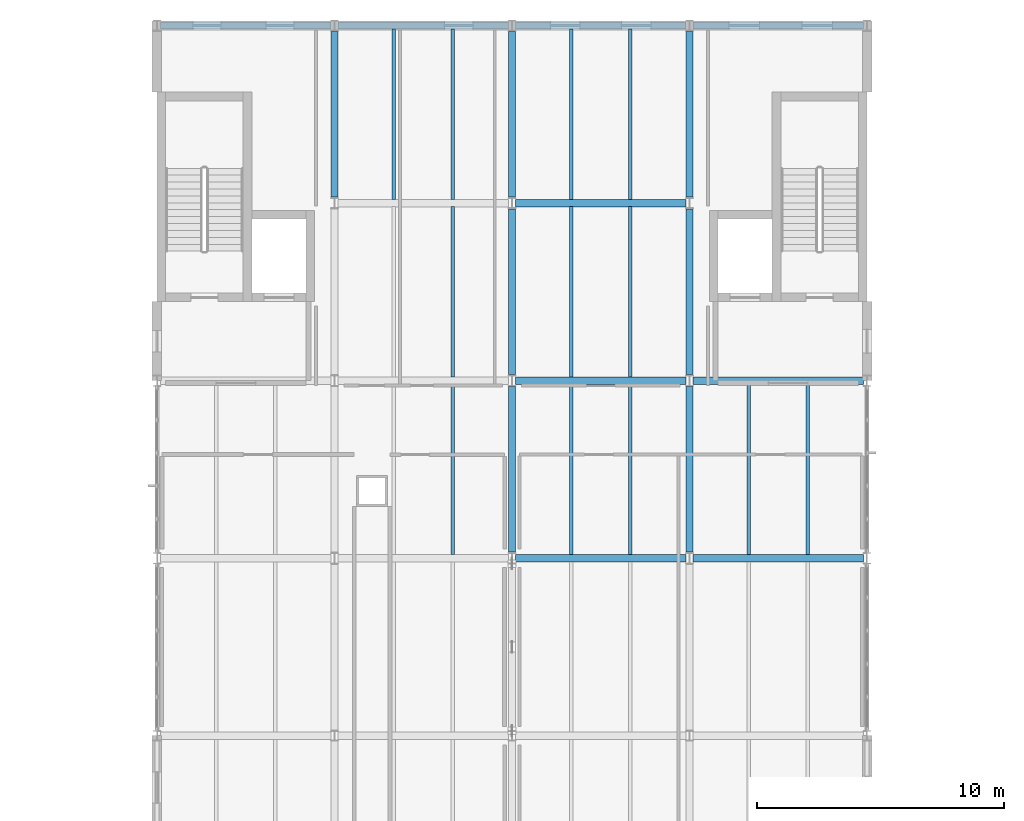
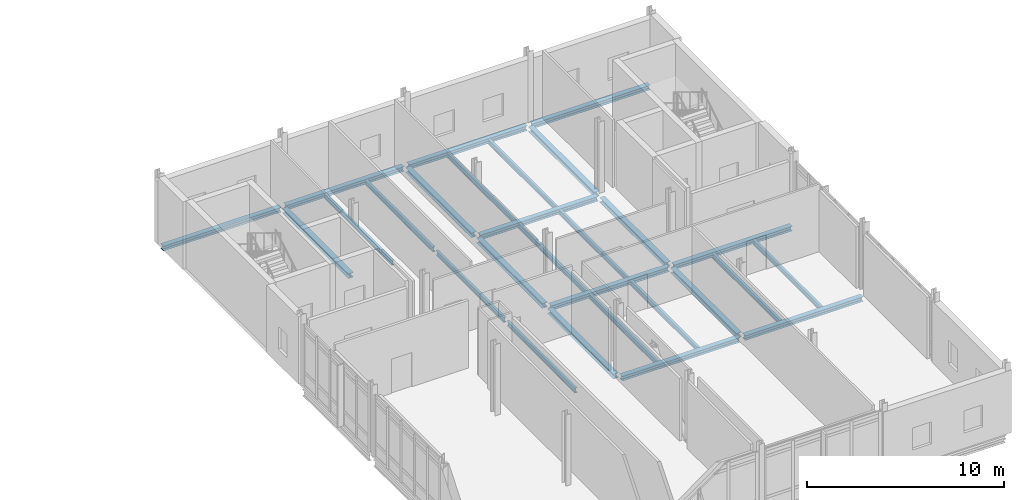
# One storey, part 29 of 76: 28 beams.
"""IFC4 building model written with IfcOpenShell, lengths in metres."""

from ifc_helpers import new_model, si_unit, direction, frame, origin, origin_2d, place, context, subcontext, project, spatial, i_section, extrude, material, material_profile, profile_set, type_object, element, save


model = new_model("IFC4")

# Units and contexts
model_context = context("Model", 3, precision=1e-05, world=origin(), true_north=direction((0.0, 1.0)))
body_context = subcontext(model_context, "Body", "Model", "MODEL_VIEW")
ifc_project = project(units=[si_unit("LENGTHUNIT", "METRE"), si_unit("AREAUNIT", "SQUARE_METRE"), si_unit("VOLUMEUNIT", "CUBIC_METRE"), si_unit("PLANEANGLEUNIT", "RADIAN"), si_unit("MASSUNIT", "GRAM", prefix="KILO")], contexts=[model_context])

# Site, building, storey
site_placement = place(None, origin())
site = spatial("IfcSite", under=ifc_project, at=site_placement, CompositionType="ELEMENT")
building_placement = place(site_placement, origin())
building = spatial("IfcBuilding", under=site, at=building_placement, Name="Zarrinpeak Specialist Clinic", CompositionType="ELEMENT")
storey_placement = place(building_placement, frame((0.0, 0.0, 5.199951171875)))
storey = spatial("IfcBuildingStorey", under=building, at=storey_placement, Name="L01", CompositionType="ELEMENT", Elevation=5.199951171875)

# Beams
ifc_material = material(Name="Steel S355", Category="steel")
ifc_material_profile_1 = material_profile(ifc_material, i_section(OverallWidth=0.300048828125, OverallDepth=0.2900390625, WebThickness=0.008544921875, FlangeThickness=0.013916015625, FilletRadius=0.027099609375, at=origin_2d()), Name="HEA 300")
ifc_profile_set_1 = profile_set([ifc_material_profile_1], Name="Steel S355")
beam_type_1 = type_object("IfcBeamType", Name="BM-HEA300", PredefinedType="BEAM", material=ifc_profile_set_1)
beam_1_placement = place(storey_placement, frame((50.548095703125, 96.39990234375, -0.375), z_axis=(1.0, 0.0, 0.0), x_axis=(0.0, 1.0, 0.0)))
element("IfcBeam", 1, at=beam_1_placement, inside=storey, type_object=beam_type_1, Name="L01 Primary Floor Girder BM-L01-X0819", PredefinedType="BEAM", context=body_context, shape_type="SweptSolid", body=[
    extrude(i_section(OverallWidth=0.300048828125, OverallDepth=0.2900390625, WebThickness=0.008544921875, FlangeThickness=0.013916015625, FilletRadius=0.027099609375, at=origin_2d()), origin(), (0.0, 0.0, 1.0), 6.90380859375),
])
beam_2_placement = place(storey_placement, frame((57.748046875, 96.39990234375, -0.375), z_axis=(1.0, 0.0, 0.0), x_axis=(0.0, 1.0, 0.0)))
element("IfcBeam", 2, at=beam_2_placement, inside=storey, type_object=beam_type_1, Name="L01 Primary Floor Girder BM-L01-X0820", PredefinedType="BEAM", context=body_context, shape_type="SweptSolid", body=[
    extrude(i_section(OverallWidth=0.300048828125, OverallDepth=0.2900390625, WebThickness=0.008544921875, FlangeThickness=0.013916015625, FilletRadius=0.027099609375, at=origin_2d()), origin(), (0.0, 0.0, 1.0), 6.904052734375),
])
beam_3_placement = place(storey_placement, frame((50.548095703125, 103.60009765625, -0.375), z_axis=(1.0, 0.0, 0.0), x_axis=(0.0, 1.0, 0.0)))
element("IfcBeam", 3, at=beam_3_placement, inside=storey, type_object=beam_type_1, Name="L01 Primary Floor Girder BM-L01-X0823", PredefinedType="BEAM", context=body_context, shape_type="SweptSolid", body=[
    extrude(i_section(OverallWidth=0.300048828125, OverallDepth=0.2900390625, WebThickness=0.008544921875, FlangeThickness=0.013916015625, FilletRadius=0.027099609375, at=origin_2d()), origin(), (0.0, 0.0, 1.0), 6.90380859375),
])
beam_4_placement = place(storey_placement, frame((57.748046875, 103.60009765625, -0.375), z_axis=(1.0, 0.0, 0.0), x_axis=(0.0, 1.0, 0.0)))
element("IfcBeam", 4, at=beam_4_placement, inside=storey, type_object=beam_type_1, Name="L01 Primary Floor Girder BM-L01-X0824", PredefinedType="BEAM", context=body_context, shape_type="SweptSolid", body=[
    extrude(i_section(OverallWidth=0.300048828125, OverallDepth=0.2900390625, WebThickness=0.008544921875, FlangeThickness=0.013916015625, FilletRadius=0.027099609375, at=origin_2d()), origin(), (0.0, 0.0, 1.0), 6.904052734375),
])
beam_5_placement = place(storey_placement, frame((50.548095703125, 110.800048828125, -0.375), z_axis=(1.0, 0.0, 0.0), x_axis=(0.0, 1.0, 0.0)))
element("IfcBeam", 5, at=beam_5_placement, inside=storey, type_object=beam_type_1, Name="L01 Primary Floor Girder BM-L01-X0826", PredefinedType="BEAM", context=body_context, shape_type="SweptSolid", body=[
    extrude(i_section(OverallWidth=0.300048828125, OverallDepth=0.2900390625, WebThickness=0.008544921875, FlangeThickness=0.013916015625, FilletRadius=0.027099609375, at=origin_2d()), origin(), (0.0, 0.0, 1.0), 6.90380859375),
])
for number, where, z_axis, x_axis, name in (
    (6, (36.14794921875, 118.0, -0.375), (1.0, 0.0, 0.0), (0.0, 1.0, 0.0), "L01 Primary Floor Girder BM-L01-X0827"),
    (7, (43.347900390625, 118.0, -0.375), (1.0, 0.0, 0.0), (0.0, 1.0, 0.0), "L01 Primary Floor Girder BM-L01-X0828"),
):
    element("IfcBeam", number, at=place(storey_placement, frame(where, z_axis=z_axis, x_axis=x_axis)), inside=storey, type_object=beam_type_1, Name=name, PredefinedType="BEAM", context=body_context, shape_type="SweptSolid", body=[
        extrude(i_section(OverallWidth=0.300048828125, OverallDepth=0.2900390625, WebThickness=0.008544921875, FlangeThickness=0.013916015625, FilletRadius=0.027099609375, at=origin_2d()), origin(), (0.0, 0.0, 1.0), 6.904052734375),
    ])
beam_6_placement = place(storey_placement, frame((50.548095703125, 118.0, -0.375), z_axis=(1.0, 0.0, 0.0), x_axis=(0.0, 1.0, 0.0)))
element("IfcBeam", 8, at=beam_6_placement, inside=storey, type_object=beam_type_1, Name="L01 Primary Floor Girder BM-L01-X0829", PredefinedType="BEAM", context=body_context, shape_type="SweptSolid", body=[
    extrude(i_section(OverallWidth=0.300048828125, OverallDepth=0.2900390625, WebThickness=0.008544921875, FlangeThickness=0.013916015625, FilletRadius=0.027099609375, at=origin_2d()), origin(), (0.0, 0.0, 1.0), 6.90380859375),
])
beam_7_placement = place(storey_placement, frame((57.748046875, 118.0, -0.375), z_axis=(1.0, 0.0, 0.0), x_axis=(0.0, 1.0, 0.0)))
element("IfcBeam", 9, at=beam_7_placement, inside=storey, type_object=beam_type_1, Name="L01 Primary Floor Girder BM-L01-X0830", PredefinedType="BEAM", context=body_context, shape_type="SweptSolid", body=[
    extrude(i_section(OverallWidth=0.300048828125, OverallDepth=0.2900390625, WebThickness=0.008544921875, FlangeThickness=0.013916015625, FilletRadius=0.027099609375, at=origin_2d()), origin(), (0.0, 0.0, 1.0), 6.904052734375),
])
beam_8_placement = place(storey_placement, frame((43.199951171875, 111.048095703125, -0.375), z_axis=(0.0, 1.0, 0.0), x_axis=(-1.0, 0.0, 0.0)))
element("IfcBeam", 10, at=beam_8_placement, inside=storey, type_object=beam_type_1, Name="L01 Primary Beam BM-L01-Y0897", PredefinedType="BEAM", context=body_context, shape_type="SweptSolid", body=[
    extrude(i_section(OverallWidth=0.300048828125, OverallDepth=0.2900390625, WebThickness=0.008544921875, FlangeThickness=0.013916015625, FilletRadius=0.027099609375, at=origin_2d()), origin(), (0.0, 0.0, 1.0), 6.703857421875),
])
for number, where, z_axis, x_axis, name in (
    (11, (50.39990234375, 96.64794921875, -0.375), (0.0, 1.0, 0.0), (-1.0, 0.0, 0.0), "L01 Primary Beam BM-L01-Y0904"),
    (12, (50.39990234375, 103.847900390625, -0.375), (0.0, 1.0, 0.0), (-1.0, 0.0, 0.0), "L01 Primary Beam BM-L01-Y0905"),
):
    element("IfcBeam", number, at=place(storey_placement, frame(where, z_axis=z_axis, x_axis=x_axis)), inside=storey, type_object=beam_type_1, Name=name, PredefinedType="BEAM", context=body_context, shape_type="SweptSolid", body=[
        extrude(i_section(OverallWidth=0.300048828125, OverallDepth=0.2900390625, WebThickness=0.008544921875, FlangeThickness=0.013916015625, FilletRadius=0.027099609375, at=origin_2d()), origin(), (0.0, 0.0, 1.0), 6.7041015625),
    ])
beam_9_placement = place(storey_placement, frame((50.39990234375, 111.048095703125, -0.375), z_axis=(0.0, 1.0, 0.0), x_axis=(-1.0, 0.0, 0.0)))
element("IfcBeam", 13, at=beam_9_placement, inside=storey, type_object=beam_type_1, Name="L01 Primary Beam BM-L01-Y0906", PredefinedType="BEAM", context=body_context, shape_type="SweptSolid", body=[
    extrude(i_section(OverallWidth=0.300048828125, OverallDepth=0.2900390625, WebThickness=0.008544921875, FlangeThickness=0.013916015625, FilletRadius=0.027099609375, at=origin_2d()), origin(), (0.0, 0.0, 1.0), 6.703857421875),
])
for number, where, z_axis, x_axis, name in (
    (14, (57.60009765625, 96.64794921875, -0.375), (0.0, 1.0, 0.0), (-1.0, 0.0, 0.0), "L01 Primary Beam BM-L01-Y0911"),
    (15, (57.60009765625, 103.847900390625, -0.375), (0.0, 1.0, 0.0), (-1.0, 0.0, 0.0), "L01 Primary Beam BM-L01-Y0912"),
):
    element("IfcBeam", number, at=place(storey_placement, frame(where, z_axis=z_axis, x_axis=x_axis)), inside=storey, type_object=beam_type_1, Name=name, PredefinedType="BEAM", context=body_context, shape_type="SweptSolid", body=[
        extrude(i_section(OverallWidth=0.300048828125, OverallDepth=0.2900390625, WebThickness=0.008544921875, FlangeThickness=0.013916015625, FilletRadius=0.027099609375, at=origin_2d()), origin(), (0.0, 0.0, 1.0), 6.7041015625),
    ])
beam_10_placement = place(storey_placement, frame((57.60009765625, 111.048095703125, -0.375), z_axis=(0.0, 1.0, 0.0), x_axis=(-1.0, 0.0, 0.0)))
element("IfcBeam", 16, at=beam_10_placement, inside=storey, type_object=beam_type_1, Name="L01 Primary Beam BM-L01-Y0913", PredefinedType="BEAM", context=body_context, shape_type="SweptSolid", body=[
    extrude(i_section(OverallWidth=0.300048828125, OverallDepth=0.2900390625, WebThickness=0.008544921875, FlangeThickness=0.013916015625, FilletRadius=0.027099609375, at=origin_2d()), origin(), (0.0, 0.0, 1.0), 6.703857421875),
])
ifc_material_profile_2 = material_profile(ifc_material, i_section(OverallWidth=0.14990234375, OverallDepth=0.300048828125, WebThickness=0.007080078125, FlangeThickness=0.0107421875, FilletRadius=0.014892578125, at=origin_2d()), Name="IPE 300")
ifc_profile_set_2 = profile_set([ifc_material_profile_2], Name="Steel S355")
beam_type_2 = type_object("IfcBeamType", Name="BM-JST300", PredefinedType="JOIST", material=ifc_profile_set_2)
beam_11_placement = place(storey_placement, frame((48.0, 96.548095703125, -0.3798828125), z_axis=(0.0, 1.0, 0.0), x_axis=(-1.0, 0.0, 0.0)))
element("IfcBeam", 17, at=beam_11_placement, inside=storey, type_object=beam_type_2, Name="L01 Composite Floor Joist JST-L01-1087", PredefinedType="JOIST", context=body_context, shape_type="SweptSolid", body=[
    extrude(i_section(OverallWidth=0.14990234375, OverallDepth=0.300048828125, WebThickness=0.007080078125, FlangeThickness=0.0107421875, FilletRadius=0.014892578125, at=origin_2d()), origin(), (0.0, 0.0, 1.0), 6.90380859375),
])
for number, where, z_axis, x_axis, name in (
    (18, (48.0, 103.748046875, -0.3798828125), (0.0, 1.0, 0.0), (-1.0, 0.0, 0.0), "L01 Composite Floor Joist JST-L01-1089"),
    (19, (45.60009765625, 110.947998046875, -0.3798828125), (0.0, 1.0, 0.0), (-1.0, 0.0, 0.0), "L01 Composite Floor Joist JST-L01-1090"),
    (20, (48.0, 110.947998046875, -0.3798828125), (0.0, 1.0, 0.0), (-1.0, 0.0, 0.0), "L01 Composite Floor Joist JST-L01-1091"),
):
    element("IfcBeam", number, at=place(storey_placement, frame(where, z_axis=z_axis, x_axis=x_axis)), inside=storey, type_object=beam_type_2, Name=name, PredefinedType="JOIST", context=body_context, shape_type="SweptSolid", body=[
        extrude(i_section(OverallWidth=0.14990234375, OverallDepth=0.300048828125, WebThickness=0.007080078125, FlangeThickness=0.0107421875, FilletRadius=0.014892578125, at=origin_2d()), origin(), (0.0, 0.0, 1.0), 6.904052734375),
    ])
for number, where, z_axis, x_axis, name in (
    (21, (52.800048828125, 96.548095703125, -0.3798828125), (0.0, 1.0, 0.0), (-1.0, 0.0, 0.0), "L01 Composite Floor Joist JST-L01-1096"),
    (22, (55.199951171875, 96.548095703125, -0.3798828125), (0.0, 1.0, 0.0), (-1.0, 0.0, 0.0), "L01 Composite Floor Joist JST-L01-1097"),
):
    element("IfcBeam", number, at=place(storey_placement, frame(where, z_axis=z_axis, x_axis=x_axis)), inside=storey, type_object=beam_type_2, Name=name, PredefinedType="JOIST", context=body_context, shape_type="SweptSolid", body=[
        extrude(i_section(OverallWidth=0.14990234375, OverallDepth=0.300048828125, WebThickness=0.007080078125, FlangeThickness=0.0107421875, FilletRadius=0.014892578125, at=origin_2d()), origin(), (0.0, 0.0, 1.0), 6.90380859375),
    ])
for number, where, z_axis, x_axis, name in (
    (23, (52.800048828125, 103.748046875, -0.3798828125), (0.0, 1.0, 0.0), (-1.0, 0.0, 0.0), "L01 Composite Floor Joist JST-L01-1098"),
    (24, (55.199951171875, 103.748046875, -0.3798828125), (0.0, 1.0, 0.0), (-1.0, 0.0, 0.0), "L01 Composite Floor Joist JST-L01-1099"),
    (25, (52.800048828125, 110.947998046875, -0.3798828125), (0.0, 1.0, 0.0), (-1.0, 0.0, 0.0), "L01 Composite Floor Joist JST-L01-1100"),
    (26, (55.199951171875, 110.947998046875, -0.3798828125), (0.0, 1.0, 0.0), (-1.0, 0.0, 0.0), "L01 Composite Floor Joist JST-L01-1101"),
):
    element("IfcBeam", number, at=place(storey_placement, frame(where, z_axis=z_axis, x_axis=x_axis)), inside=storey, type_object=beam_type_2, Name=name, PredefinedType="JOIST", context=body_context, shape_type="SweptSolid", body=[
        extrude(i_section(OverallWidth=0.14990234375, OverallDepth=0.300048828125, WebThickness=0.007080078125, FlangeThickness=0.0107421875, FilletRadius=0.014892578125, at=origin_2d()), origin(), (0.0, 0.0, 1.0), 6.904052734375),
    ])
for number, where, z_axis, x_axis, name in (
    (27, (60.0, 96.548095703125, -0.3798828125), (0.0, 1.0, 0.0), (-1.0, 0.0, 0.0), "L01 Composite Floor Joist JST-L01-1106"),
    (28, (62.39990234375, 96.548095703125, -0.3798828125), (0.0, 1.0, 0.0), (-1.0, 0.0, 0.0), "L01 Composite Floor Joist JST-L01-1107"),
):
    element("IfcBeam", number, at=place(storey_placement, frame(where, z_axis=z_axis, x_axis=x_axis)), inside=storey, type_object=beam_type_2, Name=name, PredefinedType="JOIST", context=body_context, shape_type="SweptSolid", body=[
        extrude(i_section(OverallWidth=0.14990234375, OverallDepth=0.300048828125, WebThickness=0.007080078125, FlangeThickness=0.0107421875, FilletRadius=0.014892578125, at=origin_2d()), origin(), (0.0, 0.0, 1.0), 6.90380859375),
    ])

save(model, "model.ifc")
